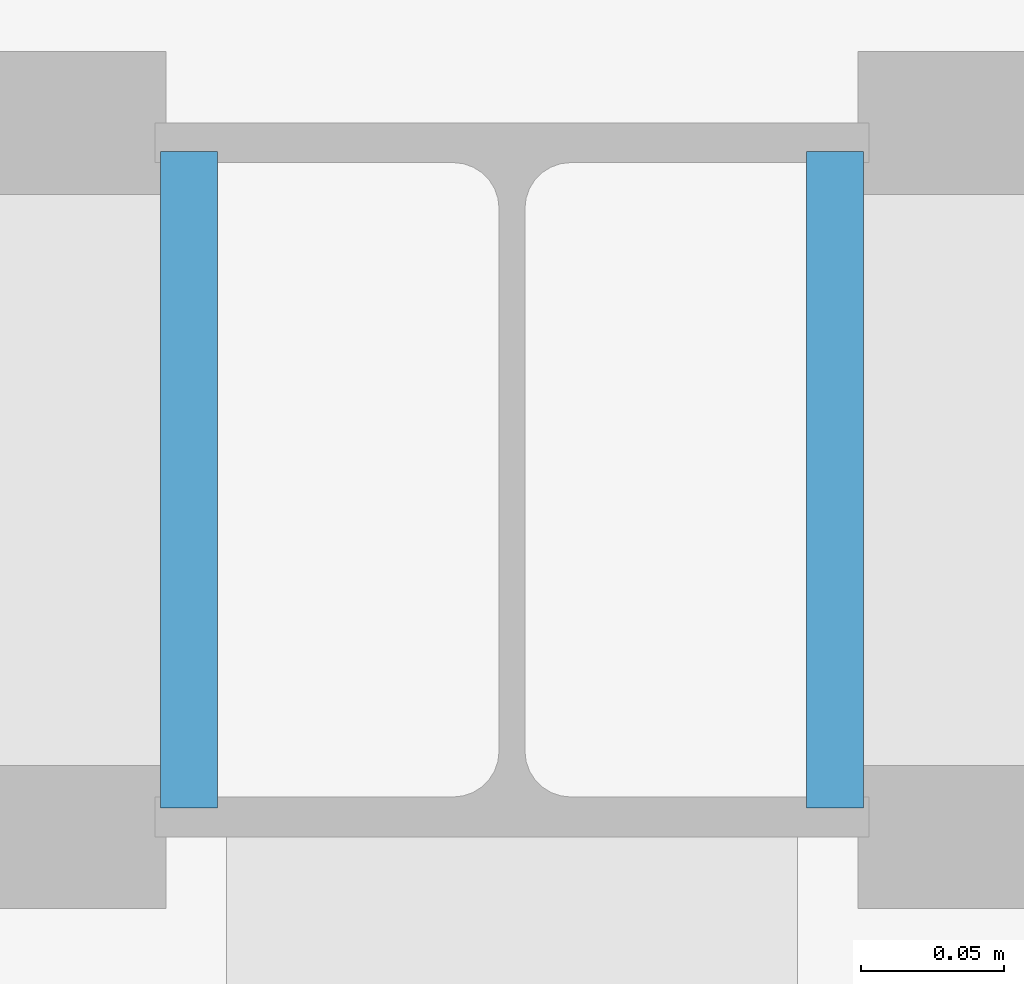
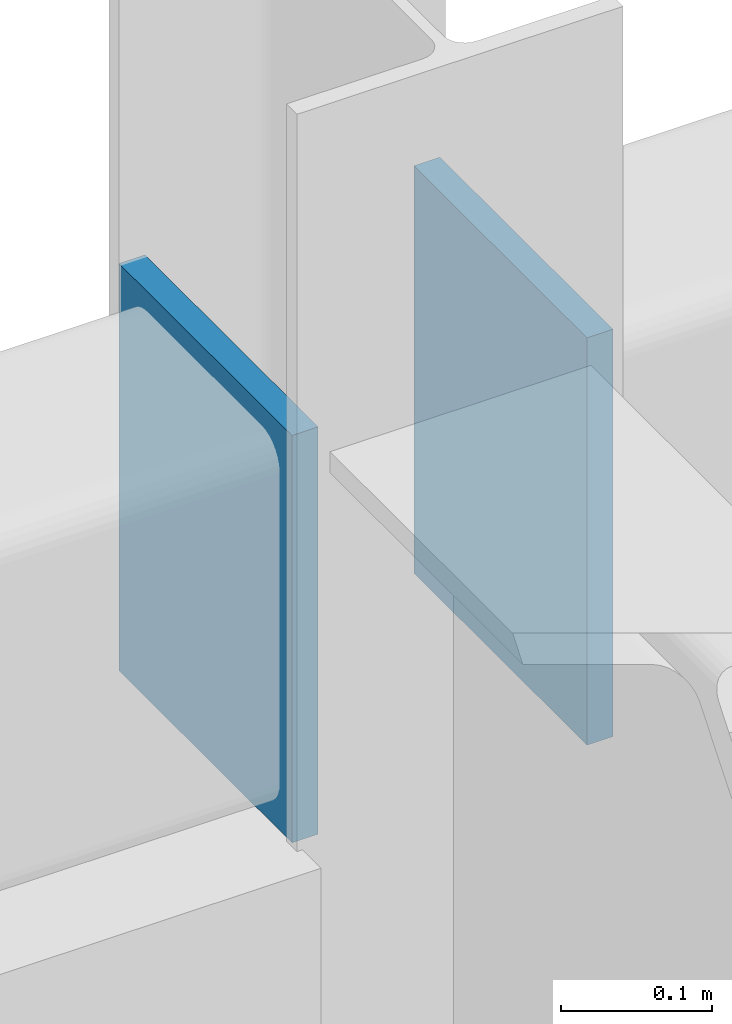
# One storey, part 154 of 184: 2 plates.
"""IFC4 building model written with IfcOpenShell, lengths in metres."""

from ifc_helpers import new_model, si_unit, direction, frame, origin, origin_2d, place, context, subcontext, project, spatial, rectangle, extrude, material, layer, layer_set, type_object, element, save


model = new_model("IFC4")

# Units and contexts
model_context = context("Model", 3, precision=1e-05, world=origin(), true_north=direction((0.0, 1.0)))
body_context = subcontext(model_context, "Body", "Model", "MODEL_VIEW")
ifc_project = project(units=[si_unit("LENGTHUNIT", "METRE"), si_unit("AREAUNIT", "SQUARE_METRE"), si_unit("VOLUMEUNIT", "CUBIC_METRE"), si_unit("PLANEANGLEUNIT", "RADIAN"), si_unit("MASSUNIT", "GRAM", prefix="KILO")], contexts=[model_context])

# Site, building, storey
site_placement = place(None, origin())
site = spatial("IfcSite", under=ifc_project, at=site_placement, CompositionType="ELEMENT")
building_placement = place(site_placement, origin())
building = spatial("IfcBuilding", under=site, at=building_placement, Name="Zhaolan Boulevard Law Courts", CompositionType="ELEMENT")
storey_placement = place(building_placement, frame((0.0, 0.0, 5.39990234375)))
storey = spatial("IfcBuildingStorey", under=building, at=storey_placement, Name="L01", CompositionType="ELEMENT", Elevation=5.39990234375)

# Plates
ifc_material = material(Name="Structural steel Q355B", Category="steel")
ifc_layer = layer(ifc_material, 0.02001953125)
ifc_layer_set = layer_set([ifc_layer])
plate_type = type_object("IfcPlateType", Name="END CAP PLATE 20", PredefinedType="SHEET", material=ifc_layer_set)
for number, where, z_axis, x_axis, name in (
    (1, (155.886962890625, 46.0, 4.802978515625), (0.0, 0.0, 1.0), (1.0, 0.0, 0.0), "Hollow Section End-Cap Plate ECP-0778"),
    (2, (156.113037109375, 46.0, 4.802978515625), (0.0, 0.0, 1.0), (1.0, 0.0, 0.0), "Hollow Section End-Cap Plate ECP-0779"),
):
    element("IfcPlate", number, at=place(storey_placement, frame(where, z_axis=z_axis, x_axis=x_axis)), inside=storey, type_object=plate_type, Name=name, PredefinedType="SHEET", context=body_context, shape_type="SweptSolid", body=[
        extrude(rectangle(XDim=0.02001953125, YDim=0.22998046875, at=origin_2d()), origin(), (0.0, 0.0, 1.0), 0.330078125),
    ])

save(model, "model.ifc")
